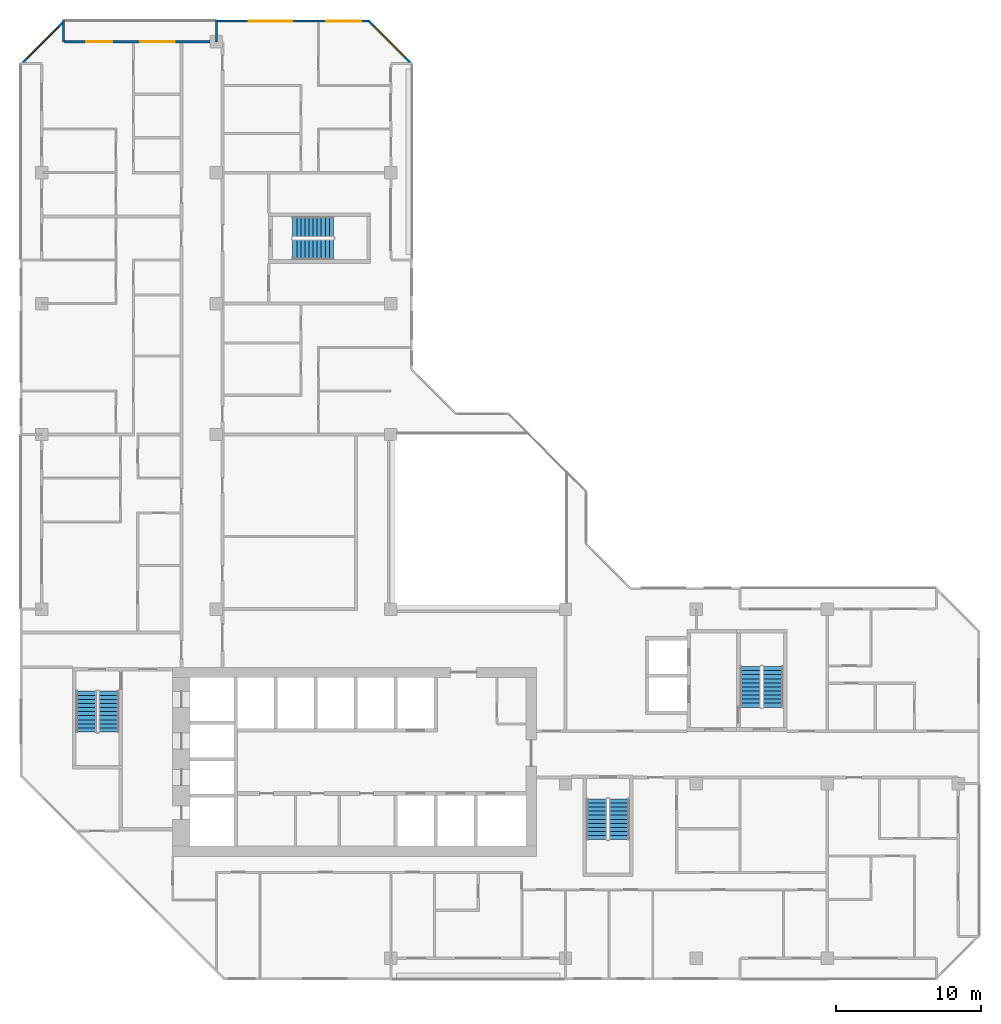
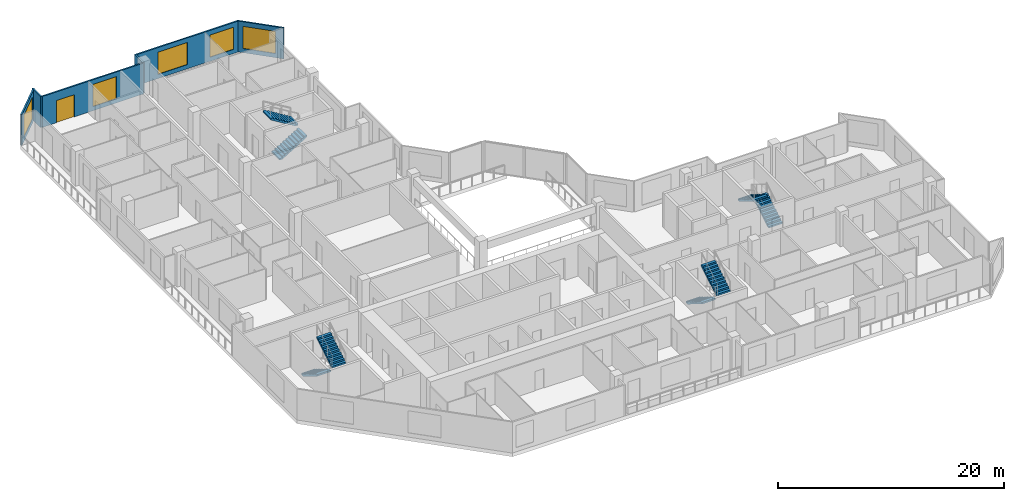
# One storey, part 12 of 14: 8 stair flights, 6 walls, 5 windows, 1 door, 6 openings, 4 elements without a shape of their own.
"""IFC4 building model written with IfcOpenShell, lengths in metres."""

from ifc_helpers import new_model, si_unit, direction, frame, frame_2d, origin, place, context, subcontext, project, spatial, polyline, rectangle, outline, extrude, material, layer, layer_set, type_object, element, fill, aggregate, save


model = new_model("IFC4")

# Units and contexts
model_context = context("Model", 3, precision=1e-05, world=origin(), true_north=direction((0.0, 1.0)))
body_context = subcontext(model_context, "Body", "Model", "MODEL_VIEW")
ifc_project = project(units=[si_unit("LENGTHUNIT", "METRE"), si_unit("AREAUNIT", "SQUARE_METRE"), si_unit("VOLUMEUNIT", "CUBIC_METRE"), si_unit("PLANEANGLEUNIT", "RADIAN"), si_unit("MASSUNIT", "GRAM", prefix="KILO")], contexts=[model_context])

# Site, building, storey
site_placement = place(None, origin())
site = spatial("IfcSite", under=ifc_project, at=site_placement, CompositionType="ELEMENT")
building_placement = place(site_placement, origin())
building = spatial("IfcBuilding", under=site, at=building_placement, Name="Chenar Terraces", CompositionType="ELEMENT")
storey_placement = place(building_placement, frame((0.0, 0.0, 237.89990234375)))
storey = spatial("IfcBuildingStorey", under=building, at=storey_placement, Name="L56", CompositionType="ELEMENT", Elevation=237.89990234375)

# Wall, openings, windows
ifc_material_1 = material(Name="Aluminium framed glazing", Category="aluminium")
ifc_layer_1 = layer(ifc_material_1, 0.14990234375)
ifc_layer_set_1 = layer_set([ifc_layer_1], Name="Aluminium framed glazing")
wall_type_1 = type_object("IfcWallType", Name="Glazed flush facade wall 150", PredefinedType="SOLIDWALL", material=ifc_layer_set_1)
wall_1_placement = place(storey_placement, frame((22.5, 64.425048828125, 0.0), z_axis=(0.0, 0.0, 1.0), x_axis=(-1.0, 0.0, 0.0)))
wall_1 = element("IfcWall", 1, at=wall_1_placement, inside=storey, type_object=wall_type_1, Name="Glazed flush facade wall", PredefinedType="SOLIDWALL", context=body_context, shape_type="SweptSolid", body=[
    extrude(rectangle(XDim=10.425048828125, YDim=0.14990234375, at=frame_2d((5.21240234375, 0.0))), origin(), (0.0, 0.0, 1.0), 3.35009765625),
])
opening_1_placement = place(wall_1_placement, frame((0.53759765625, 0.0, 0.449951171875)))
opening_1 = element("IfcOpeningElement", 2, at=opening_1_placement, cuts=wall_1, Name="Opening W240x240", PredefinedType="OPENING", context=body_context, shape_type="SweptSolid", body=[
    extrude(rectangle(XDim=2.39990234375, YDim=2.39990234375, at=frame_2d((1.199951171875, 1.199951171875))), frame((0.0, 0.0849609375, 0.0), z_axis=(0.0, -1.0, 0.0), x_axis=(1.0, 0.0, 0.0)), (0.0, 0.0, 1.0), 0.169921875),
])
opening_2_placement = place(wall_1_placement, frame((5.27490234375, 0.0, 0.449951171875)))
opening_2 = element("IfcOpeningElement", 3, at=opening_2_placement, cuts=wall_1, Name="Opening W300x240", PredefinedType="OPENING", context=body_context, shape_type="SweptSolid", body=[
    extrude(rectangle(XDim=3.0, YDim=2.39990234375, at=frame_2d((1.5, 1.199951171875))), frame((0.0, 0.0849609375, 0.0), z_axis=(0.0, -1.0, 0.0), x_axis=(1.0, 0.0, 0.0)), (0.0, 0.0, 1.0), 0.169921875),
])
ifc_material_2 = material(Name="Low emissivity double glazing, aluminium frame", Category="aluminium")
window_type_1 = type_object("IfcWindowType", Name="Fixed light 2400 x 2400", PartitioningType="SINGLE_PANEL", PredefinedType="WINDOW", material=ifc_material_2)
window_1_placement = place(opening_1_placement, origin())
window_1 = element("IfcWindow", 4, at=window_1_placement, inside=storey, type_object=window_type_1, Name="Window", OverallHeight=2.39990234375, OverallWidth=2.39990234375, PartitioningType="SINGLE_PANEL", PredefinedType="WINDOW", context=body_context, shape_type="SweptSolid", body=[
    extrude(rectangle(XDim=2.39990234375, YDim=2.39990234375, at=frame_2d((1.199951171875, 1.199951171875))), frame((0.0, 0.030029296875, 0.0), z_axis=(0.0, -1.0, 0.0), x_axis=(1.0, 0.0, 0.0)), (0.0, 0.0, 1.0), 0.06005859375),
])
fill(opening_1, window_1)
ifc_material_3 = material(Name="Low emissivity double glazing, aluminium frame", Category="aluminium")
window_type_2 = type_object("IfcWindowType", Name="Fixed light 3000 x 2400", PartitioningType="SINGLE_PANEL", PredefinedType="WINDOW", material=ifc_material_3)
window_2_placement = place(opening_2_placement, origin())
window_2 = element("IfcWindow", 5, at=window_2_placement, inside=storey, type_object=window_type_2, Name="Window", OverallHeight=2.39990234375, OverallWidth=3.0, PartitioningType="SINGLE_PANEL", PredefinedType="WINDOW", context=body_context, shape_type="SweptSolid", body=[
    extrude(rectangle(XDim=3.0, YDim=2.39990234375, at=frame_2d((1.5, 1.199951171875))), frame((0.0, 0.030029296875, 0.0), z_axis=(0.0, -1.0, 0.0), x_axis=(1.0, 0.0, 0.0)), (0.0, 0.0, 1.0), 0.06005859375),
])
fill(opening_2, window_2)

# Wall, openings, window, door
ifc_material_4 = material(Name="Aluminium framed glazing", Category="aluminium")
ifc_layer_2 = layer(ifc_material_4, 0.14990234375)
ifc_layer_set_2 = layer_set([ifc_layer_2], Name="Aluminium framed glazing")
wall_type_2 = type_object("IfcWallType", Name="Glazed loggia back wall 150", PredefinedType="SOLIDWALL", material=ifc_layer_set_2)
wall_2_placement = place(storey_placement, frame((11.925048828125, 63.0, 0.0), z_axis=(0.0, 0.0, 1.0), x_axis=(-1.0, 0.0, 0.0)))
wall_2 = element("IfcWall", 6, at=wall_2_placement, inside=storey, type_object=wall_type_2, Name="Glazed loggia back wall", PredefinedType="SOLIDWALL", context=body_context, shape_type="SweptSolid", body=[
    extrude(rectangle(XDim=10.35009765625, YDim=0.14990234375, at=frame_2d((5.175048828125, 0.0))), origin(), (0.0, 0.0, 1.0), 3.35009765625),
])
opening_3_placement = place(wall_2_placement, frame((2.77490234375, 0.0, 0.449951171875)))
opening_3 = element("IfcOpeningElement", 7, at=opening_3_placement, cuts=wall_2, Name="Opening W240x240", PredefinedType="OPENING", context=body_context, shape_type="SweptSolid", body=[
    extrude(rectangle(XDim=2.39990234375, YDim=2.39990234375, at=frame_2d((1.199951171875, 1.199951171875))), frame((0.0, 0.0849609375, 0.0), z_axis=(0.0, -1.0, 0.0), x_axis=(1.0, 0.0, 0.0)), (0.0, 0.0, 1.0), 0.169921875),
])
opening_4_placement = place(wall_2_placement, frame((7.08740234375, 0.0, 0.0)))
opening_4 = element("IfcOpeningElement", 8, at=opening_4_placement, cuts=wall_2, Name="Opening DL56-G3", PredefinedType="OPENING", context=body_context, shape_type="SweptSolid", body=[
    extrude(rectangle(XDim=1.800048828125, YDim=2.39990234375, at=frame_2d((0.89990234375, 1.199951171875))), frame((0.0, 0.0849609375, 0.0), z_axis=(0.0, -1.0, 0.0), x_axis=(1.0, 0.0, 0.0)), (0.0, 0.0, 1.0), 0.169921875),
])
window_3_placement = place(opening_3_placement, origin())
window_3 = element("IfcWindow", 9, at=window_3_placement, inside=storey, type_object=window_type_1, Name="Window", OverallHeight=2.39990234375, OverallWidth=2.39990234375, PartitioningType="SINGLE_PANEL", PredefinedType="WINDOW", context=body_context, shape_type="SweptSolid", body=[
    extrude(rectangle(XDim=2.39990234375, YDim=2.39990234375, at=frame_2d((1.199951171875, 1.199951171875))), frame((0.0, 0.030029296875, 0.0), z_axis=(0.0, -1.0, 0.0), x_axis=(1.0, 0.0, 0.0)), (0.0, 0.0, 1.0), 0.06005859375),
])
fill(opening_3, window_3)
ifc_material_5 = material(Name="Low emissivity double glazing, aluminium frame", Category="aluminium")
door_type = type_object("IfcDoorType", Name="Loggia glazed double door 1800 x 2400", OperationType="DOUBLE_DOOR_SINGLE_SWING", PredefinedType="DOOR", material=ifc_material_5)
door_placement = place(opening_4_placement, frame((1.800048828125, 0.0, 0.0), z_axis=(0.0, 0.0, 1.0), x_axis=(-1.0, 0.0, 0.0)))
door = element("IfcDoor", 10, at=door_placement, inside=storey, type_object=door_type, Name="Loggia glazed door", OperationType="DOUBLE_DOOR_SINGLE_SWING", OverallHeight=2.39990234375, OverallWidth=1.800048828125, PredefinedType="DOOR", context=body_context, shape_type="SweptSolid", body=[
    extrude(rectangle(XDim=1.800048828125, YDim=2.39990234375, at=frame_2d((0.89990234375, 1.199951171875))), frame((0.0, 0.02490234375, 0.0), z_axis=(0.0, -1.0, 0.0), x_axis=(1.0, 0.0, 0.0)), (0.0, 0.0, 1.0), 0.050048828125),
])
fill(opening_4, door)

# Walls
ifc_material_6 = material(Name="Terracotta cladding on insulated backing", Category="masonry")
ifc_layer_3 = layer(ifc_material_6, 0.14990234375)
ifc_layer_set_3 = layer_set([ifc_layer_3], Name="Terracotta cladding on insulated backing")
wall_type_3 = type_object("IfcWallType", Name="Loggia return wall 150", PredefinedType="SOLIDWALL", material=ifc_layer_set_3)
for number, where, z_axis, x_axis, name in (
    (11, (12.0, 64.5, 0.0), (0.0, 0.0, 1.0), (0.0, -1.0, 0.0), "Loggia return wall"),
    (12, (1.5, 64.5, 0.0), (0.0, 0.0, 1.0), (0.0, -1.0, 0.0), "Loggia return wall"),
):
    element("IfcWall", number, at=place(storey_placement, frame(where, z_axis=z_axis, x_axis=x_axis)), inside=storey, type_object=wall_type_3, Name=name, PredefinedType="SOLIDWALL", context=body_context, shape_type="SweptSolid", body=[
        extrude(rectangle(XDim=1.5, YDim=0.14990234375, at=frame_2d((0.75, 0.0))), origin(), (0.0, 0.0, 1.0), 3.35009765625),
    ])

# Wall, opening, window
ifc_material_7 = material(Name="Terracotta cladding on insulated backing", Category="masonry")
ifc_layer_4 = layer(ifc_material_7, 0.14990234375)
ifc_layer_set_4 = layer_set([ifc_layer_4], Name="Terracotta cladding on insulated backing")
wall_type_4 = type_object("IfcWallType", Name="Terracotta rainscreen wall 150", PredefinedType="SOLIDWALL", material=ifc_layer_set_4)
wall_3_placement = place(storey_placement, frame((25.447021484375, 61.447021484375, 0.0), z_axis=(0.0, 0.0, 1.0), x_axis=(-0.707106781187, 0.707106781187, 0.0)))
wall_3 = element("IfcWall", 13, at=wall_3_placement, inside=storey, type_object=wall_type_4, Name="Terracotta rainscreen wall", PredefinedType="SOLIDWALL", context=body_context, shape_type="SweptSolid", body=[
    extrude(rectangle(XDim=4.24267578125, YDim=0.14990234375, at=frame_2d((2.121337890625, 0.0))), origin(), (0.0, 0.0, 1.0), 3.35009765625),
])
opening_5_placement = place(wall_3_placement, frame((0.744384765625, 0.0, 0.449951171875)))
opening_5 = element("IfcOpeningElement", 14, at=opening_5_placement, cuts=wall_3, Name="Opening W300x240", PredefinedType="OPENING", context=body_context, shape_type="SweptSolid", body=[
    extrude(rectangle(XDim=3.0, YDim=2.39990234375, at=frame_2d((1.5, 1.199951171875))), frame((0.0, 0.0849609375, 0.0), z_axis=(0.0, -1.0, 0.0), x_axis=(1.0, 0.0, 0.0)), (0.0, 0.0, 1.0), 0.169921875),
])
window_4_placement = place(opening_5_placement, origin())
window_4 = element("IfcWindow", 15, at=window_4_placement, inside=storey, type_object=window_type_2, Name="Window", OverallHeight=2.39990234375, OverallWidth=3.0, PartitioningType="SINGLE_PANEL", PredefinedType="WINDOW", context=body_context, shape_type="SweptSolid", body=[
    extrude(rectangle(XDim=3.0, YDim=2.39990234375, at=frame_2d((1.5, 1.199951171875))), frame((0.0, 0.030029296875, 0.0), z_axis=(0.0, -1.0, 0.0), x_axis=(1.0, 0.0, 0.0)), (0.0, 0.0, 1.0), 0.06005859375),
])
fill(opening_5, window_4)

wall_4_placement = place(storey_placement, frame((1.552978515625, 64.447021484375, 0.0), z_axis=(0.0, 0.0, 1.0), x_axis=(-0.707106781187, -0.707106781187, 0.0)))
wall_4 = element("IfcWall", 16, at=wall_4_placement, inside=storey, type_object=wall_type_4, Name="Terracotta rainscreen wall", PredefinedType="SOLIDWALL", context=body_context, shape_type="SweptSolid", body=[
    extrude(rectangle(XDim=4.24267578125, YDim=0.14990234375, at=frame_2d((2.121337890625, 0.0))), origin(), (0.0, 0.0, 1.0), 3.35009765625),
])
opening_6_placement = place(wall_4_placement, frame((0.621337890625, 0.0, 0.449951171875)))
opening_6 = element("IfcOpeningElement", 17, at=opening_6_placement, cuts=wall_4, Name="Opening W300x240", PredefinedType="OPENING", context=body_context, shape_type="SweptSolid", body=[
    extrude(rectangle(XDim=3.0, YDim=2.39990234375, at=frame_2d((1.5, 1.199951171875))), frame((0.0, 0.0849609375, 0.0), z_axis=(0.0, -1.0, 0.0), x_axis=(1.0, 0.0, 0.0)), (0.0, 0.0, 1.0), 0.169921875),
])
window_5_placement = place(opening_6_placement, origin())
window_5 = element("IfcWindow", 18, at=window_5_placement, inside=storey, type_object=window_type_2, Name="Window", OverallHeight=2.39990234375, OverallWidth=3.0, PartitioningType="SINGLE_PANEL", PredefinedType="WINDOW", context=body_context, shape_type="SweptSolid", body=[
    extrude(rectangle(XDim=3.0, YDim=2.39990234375, at=frame_2d((1.5, 1.199951171875))), frame((0.0, 0.030029296875, 0.0), z_axis=(0.0, -1.0, 0.0), x_axis=(1.0, 0.0, 0.0)), (0.0, 0.0, 1.0), 0.06005859375),
])
fill(opening_6, window_5)

# Stair, stair flights
ifc_material_8 = material(Name="Reinforced concrete C40/50", Category="concrete")
stair_type = type_object("IfcStairType", Name="Core stair 1400 half-turn", PredefinedType="HALF_TURN_STAIR", material=ifc_material_8)
placement = place(storey_placement, origin())
stair_1 = element("IfcStair", 19, at=placement, inside=storey, type_object=stair_type, Name="L56 Stair 1", PredefinedType="HALF_TURN_STAIR")
ifc_material_9 = material(Name="Reinforced concrete C40/50", Category="concrete")
stair_flight_type = type_object("IfcStairFlightType", Name="Core stair flight 1400", PredefinedType="STRAIGHT", material=ifc_material_9)
stair_flight_1_placement = place(storey_placement, frame((3.050048828125, 18.35009765625, 0.0), z_axis=(0.0, 0.0, 1.0), x_axis=(0.0, -1.0, 0.0)))
stair_flight_1 = element("IfcStairFlight", 20, at=stair_flight_1_placement, type_object=stair_flight_type, Name="ST1 flight 1", NumberOfRisers=11, NumberOfTreads=10, PredefinedType="STRAIGHT", RiserHeight=0.170454545, TreadLength=0.28, context=body_context, shape_type="SweptSolid", body=[
    extrude(outline(polyline([(-0.0029296875, 0.0), (-0.0029296875, 0.17041015625), (0.0, 0.17041015625), (0.280029296875, 0.17041015625), (0.280029296875, 0.3408203125), (0.56005859375, 0.3408203125), (0.56005859375, 0.511474609375), (0.840087890625, 0.511474609375), (0.840087890625, 0.681884765625), (1.1201171875, 0.681884765625), (1.1201171875, 0.852294921875), (1.39990234375, 0.852294921875), (1.39990234375, 1.022705078125), (1.679931640625, 1.022705078125), (1.679931640625, 1.193115234375), (1.9599609375, 1.193115234375), (1.9599609375, 1.363525390625), (2.239990234375, 1.363525390625), (2.239990234375, 1.5341796875), (2.52001953125, 1.5341796875), (2.52001953125, 1.70458984375), (2.800048828125, 1.70458984375), (2.802978515625, 1.70458984375), (2.802978515625, 1.529052734375), (2.800048828125, 1.529052734375), (0.288330078125, 0.0), (-0.0029296875, 0.0)])), frame((0.0, 0.699951171875, 0.0), z_axis=(0.0, -1.0, 0.0), x_axis=(1.0, 0.0, 0.0)), (0.0, 0.0, 1.0), 1.39990234375),
])
stair_flight_2_placement = place(storey_placement, frame((4.60009765625, 15.550048828125, 1.875), z_axis=(0.0, 0.0, 1.0), x_axis=(0.0, 1.0, 0.0)))
stair_flight_2 = element("IfcStairFlight", 21, at=stair_flight_2_placement, type_object=stair_flight_type, Name="ST1 flight 2", NumberOfRisers=11, NumberOfTreads=10, PredefinedType="STRAIGHT", RiserHeight=0.170454545, TreadLength=0.28, context=body_context, shape_type="SweptSolid", body=[
    extrude(outline(polyline([(-0.0029296875, 0.0), (-0.0029296875, 0.17041015625), (0.0, 0.17041015625), (0.280029296875, 0.17041015625), (0.280029296875, 0.3408203125), (0.56005859375, 0.3408203125), (0.56005859375, 0.511474609375), (0.840087890625, 0.511474609375), (0.840087890625, 0.681884765625), (1.1201171875, 0.681884765625), (1.1201171875, 0.852294921875), (1.39990234375, 0.852294921875), (1.39990234375, 1.022705078125), (1.679931640625, 1.022705078125), (1.679931640625, 1.193115234375), (1.9599609375, 1.193115234375), (1.9599609375, 1.363525390625), (2.239990234375, 1.363525390625), (2.239990234375, 1.5341796875), (2.52001953125, 1.5341796875), (2.52001953125, 1.70458984375), (2.800048828125, 1.70458984375), (2.802978515625, 1.70458984375), (2.802978515625, 1.529052734375), (2.800048828125, 1.529052734375), (0.288330078125, 0.0), (-0.0029296875, 0.0)])), frame((0.0, 0.699951171875, 0.0), z_axis=(0.0, -1.0, 0.0), x_axis=(1.0, 0.0, 0.0)), (0.0, 0.0, 1.0), 1.39990234375),
])
aggregate(stair_1, [stair_flight_1, stair_flight_2])

stair_2 = element("IfcStair", 22, at=placement, inside=storey, type_object=stair_type, Name="L56 Stair 2", PredefinedType="HALF_TURN_STAIR")
stair_flight_3_placement = place(storey_placement, frame((38.14990234375, 10.949951171875, 0.0), z_axis=(0.0, 0.0, 1.0), x_axis=(0.0, -1.0, 0.0)))
stair_flight_3 = element("IfcStairFlight", 23, at=stair_flight_3_placement, type_object=stair_flight_type, Name="ST2 flight 1", NumberOfRisers=11, NumberOfTreads=10, PredefinedType="STRAIGHT", RiserHeight=0.170454545, TreadLength=0.28, context=body_context, shape_type="SweptSolid", body=[
    extrude(outline(polyline([(-0.0029296875, 0.0), (-0.0029296875, 0.17041015625), (0.0, 0.17041015625), (0.280029296875, 0.17041015625), (0.280029296875, 0.3408203125), (0.56005859375, 0.3408203125), (0.56005859375, 0.511474609375), (0.840087890625, 0.511474609375), (0.840087890625, 0.681884765625), (1.1201171875, 0.681884765625), (1.1201171875, 0.852294921875), (1.39990234375, 0.852294921875), (1.39990234375, 1.022705078125), (1.679931640625, 1.022705078125), (1.679931640625, 1.193115234375), (1.9599609375, 1.193115234375), (1.9599609375, 1.363525390625), (2.239990234375, 1.363525390625), (2.239990234375, 1.5341796875), (2.52001953125, 1.5341796875), (2.52001953125, 1.70458984375), (2.800048828125, 1.70458984375), (2.802978515625, 1.70458984375), (2.802978515625, 1.529052734375), (2.800048828125, 1.529052734375), (0.288330078125, 0.0), (-0.0029296875, 0.0)])), frame((0.0, 0.699951171875, 0.0), z_axis=(0.0, -1.0, 0.0), x_axis=(1.0, 0.0, 0.0)), (0.0, 0.0, 1.0), 1.39990234375),
])
stair_flight_4_placement = place(storey_placement, frame((39.699951171875, 8.14990234375, 1.875), z_axis=(0.0, 0.0, 1.0), x_axis=(0.0, 1.0, 0.0)))
stair_flight_4 = element("IfcStairFlight", 24, at=stair_flight_4_placement, type_object=stair_flight_type, Name="ST2 flight 2", NumberOfRisers=11, NumberOfTreads=10, PredefinedType="STRAIGHT", RiserHeight=0.170454545, TreadLength=0.28, context=body_context, shape_type="SweptSolid", body=[
    extrude(outline(polyline([(-0.0029296875, 0.0), (-0.0029296875, 0.17041015625), (0.0, 0.17041015625), (0.280029296875, 0.17041015625), (0.280029296875, 0.3408203125), (0.56005859375, 0.3408203125), (0.56005859375, 0.511474609375), (0.840087890625, 0.511474609375), (0.840087890625, 0.681884765625), (1.1201171875, 0.681884765625), (1.1201171875, 0.852294921875), (1.39990234375, 0.852294921875), (1.39990234375, 1.022705078125), (1.679931640625, 1.022705078125), (1.679931640625, 1.193115234375), (1.9599609375, 1.193115234375), (1.9599609375, 1.363525390625), (2.239990234375, 1.363525390625), (2.239990234375, 1.5341796875), (2.52001953125, 1.5341796875), (2.52001953125, 1.70458984375), (2.800048828125, 1.70458984375), (2.802978515625, 1.70458984375), (2.802978515625, 1.529052734375), (2.800048828125, 1.529052734375), (0.288330078125, 0.0), (-0.0029296875, 0.0)])), frame((0.0, 0.699951171875, 0.0), z_axis=(0.0, -1.0, 0.0), x_axis=(1.0, 0.0, 0.0)), (0.0, 0.0, 1.0), 1.39990234375),
])
aggregate(stair_2, [stair_flight_3, stair_flight_4])

stair_3 = element("IfcStair", 25, at=placement, inside=storey, type_object=stair_type, Name="L56 Stair 3", PredefinedType="HALF_TURN_STAIR")
stair_flight_5_placement = place(storey_placement, frame((50.27490234375, 17.25, 0.0), z_axis=(0.0, 0.0, 1.0), x_axis=(0.0, 1.0, 0.0)))
stair_flight_5 = element("IfcStairFlight", 26, at=stair_flight_5_placement, type_object=stair_flight_type, Name="ST3 flight 1", NumberOfRisers=11, NumberOfTreads=10, PredefinedType="STRAIGHT", RiserHeight=0.170454545, TreadLength=0.28, context=body_context, shape_type="SweptSolid", body=[
    extrude(outline(polyline([(-0.0029296875, 0.0), (-0.0029296875, 0.17041015625), (0.0, 0.17041015625), (0.280029296875, 0.17041015625), (0.280029296875, 0.3408203125), (0.56005859375, 0.3408203125), (0.56005859375, 0.511474609375), (0.840087890625, 0.511474609375), (0.840087890625, 0.681884765625), (1.1201171875, 0.681884765625), (1.1201171875, 0.852294921875), (1.39990234375, 0.852294921875), (1.39990234375, 1.022705078125), (1.679931640625, 1.022705078125), (1.679931640625, 1.193115234375), (1.9599609375, 1.193115234375), (1.9599609375, 1.363525390625), (2.239990234375, 1.363525390625), (2.239990234375, 1.5341796875), (2.52001953125, 1.5341796875), (2.52001953125, 1.70458984375), (2.800048828125, 1.70458984375), (2.802978515625, 1.70458984375), (2.802978515625, 1.529052734375), (2.800048828125, 1.529052734375), (0.288330078125, 0.0), (-0.0029296875, 0.0)])), frame((0.0, 0.699951171875, 0.0), z_axis=(0.0, -1.0, 0.0), x_axis=(1.0, 0.0, 0.0)), (0.0, 0.0, 1.0), 1.39990234375),
])
stair_flight_6_placement = place(storey_placement, frame((48.72509765625, 20.050048828125, 1.875), z_axis=(0.0, 0.0, 1.0), x_axis=(0.0, -1.0, 0.0)))
stair_flight_6 = element("IfcStairFlight", 27, at=stair_flight_6_placement, type_object=stair_flight_type, Name="ST3 flight 2", NumberOfRisers=11, NumberOfTreads=10, PredefinedType="STRAIGHT", RiserHeight=0.170454545, TreadLength=0.28, context=body_context, shape_type="SweptSolid", body=[
    extrude(outline(polyline([(-0.0029296875, 0.0), (-0.0029296875, 0.17041015625), (0.0, 0.17041015625), (0.280029296875, 0.17041015625), (0.280029296875, 0.3408203125), (0.56005859375, 0.3408203125), (0.56005859375, 0.511474609375), (0.840087890625, 0.511474609375), (0.840087890625, 0.681884765625), (1.1201171875, 0.681884765625), (1.1201171875, 0.852294921875), (1.39990234375, 0.852294921875), (1.39990234375, 1.022705078125), (1.679931640625, 1.022705078125), (1.679931640625, 1.193115234375), (1.9599609375, 1.193115234375), (1.9599609375, 1.363525390625), (2.239990234375, 1.363525390625), (2.239990234375, 1.5341796875), (2.52001953125, 1.5341796875), (2.52001953125, 1.70458984375), (2.800048828125, 1.70458984375), (2.802978515625, 1.70458984375), (2.802978515625, 1.529052734375), (2.800048828125, 1.529052734375), (0.288330078125, 0.0), (-0.0029296875, 0.0)])), frame((0.0, 0.699951171875, 0.0), z_axis=(0.0, -1.0, 0.0), x_axis=(1.0, 0.0, 0.0)), (0.0, 0.0, 1.0), 1.39990234375),
])
aggregate(stair_3, [stair_flight_5, stair_flight_6])

stair_4 = element("IfcStair", 28, at=placement, inside=storey, type_object=stair_type, Name="L56 Stair 4", PredefinedType="HALF_TURN_STAIR")
stair_flight_7_placement = place(storey_placement, frame((17.25, 48.72509765625, 0.0), z_axis=(0.0, 0.0, 1.0), x_axis=(1.0, 0.0, 0.0)))
stair_flight_7 = element("IfcStairFlight", 29, at=stair_flight_7_placement, type_object=stair_flight_type, Name="ST4 flight 1", NumberOfRisers=11, NumberOfTreads=10, PredefinedType="STRAIGHT", RiserHeight=0.170454545, TreadLength=0.28, context=body_context, shape_type="SweptSolid", body=[
    extrude(outline(polyline([(-0.0029296875, 0.0), (-0.0029296875, 0.17041015625), (0.0, 0.17041015625), (0.280029296875, 0.17041015625), (0.280029296875, 0.3408203125), (0.56005859375, 0.3408203125), (0.56005859375, 0.511474609375), (0.840087890625, 0.511474609375), (0.840087890625, 0.681884765625), (1.1201171875, 0.681884765625), (1.1201171875, 0.852294921875), (1.39990234375, 0.852294921875), (1.39990234375, 1.022705078125), (1.679931640625, 1.022705078125), (1.679931640625, 1.193115234375), (1.9599609375, 1.193115234375), (1.9599609375, 1.363525390625), (2.239990234375, 1.363525390625), (2.239990234375, 1.5341796875), (2.52001953125, 1.5341796875), (2.52001953125, 1.70458984375), (2.800048828125, 1.70458984375), (2.802978515625, 1.70458984375), (2.802978515625, 1.529052734375), (2.800048828125, 1.529052734375), (0.288330078125, 0.0), (-0.0029296875, 0.0)])), frame((0.0, 0.699951171875, 0.0), z_axis=(0.0, -1.0, 0.0), x_axis=(1.0, 0.0, 0.0)), (0.0, 0.0, 1.0), 1.39990234375),
])
stair_flight_8_placement = place(storey_placement, frame((20.050048828125, 50.27490234375, 1.875), z_axis=(0.0, 0.0, 1.0), x_axis=(-1.0, 0.0, 0.0)))
stair_flight_8 = element("IfcStairFlight", 30, at=stair_flight_8_placement, type_object=stair_flight_type, Name="ST4 flight 2", NumberOfRisers=11, NumberOfTreads=10, PredefinedType="STRAIGHT", RiserHeight=0.170454545, TreadLength=0.28, context=body_context, shape_type="SweptSolid", body=[
    extrude(outline(polyline([(-0.0029296875, 0.0), (-0.0029296875, 0.17041015625), (0.0, 0.17041015625), (0.280029296875, 0.17041015625), (0.280029296875, 0.3408203125), (0.56005859375, 0.3408203125), (0.56005859375, 0.511474609375), (0.840087890625, 0.511474609375), (0.840087890625, 0.681884765625), (1.1201171875, 0.681884765625), (1.1201171875, 0.852294921875), (1.39990234375, 0.852294921875), (1.39990234375, 1.022705078125), (1.679931640625, 1.022705078125), (1.679931640625, 1.193115234375), (1.9599609375, 1.193115234375), (1.9599609375, 1.363525390625), (2.239990234375, 1.363525390625), (2.239990234375, 1.5341796875), (2.52001953125, 1.5341796875), (2.52001953125, 1.70458984375), (2.800048828125, 1.70458984375), (2.802978515625, 1.70458984375), (2.802978515625, 1.529052734375), (2.800048828125, 1.529052734375), (0.288330078125, 0.0), (-0.0029296875, 0.0)])), frame((0.0, 0.699951171875, 0.0), z_axis=(0.0, -1.0, 0.0), x_axis=(1.0, 0.0, 0.0)), (0.0, 0.0, 1.0), 1.39990234375),
])
aggregate(stair_4, [stair_flight_7, stair_flight_8])

save(model, "model.ifc")
